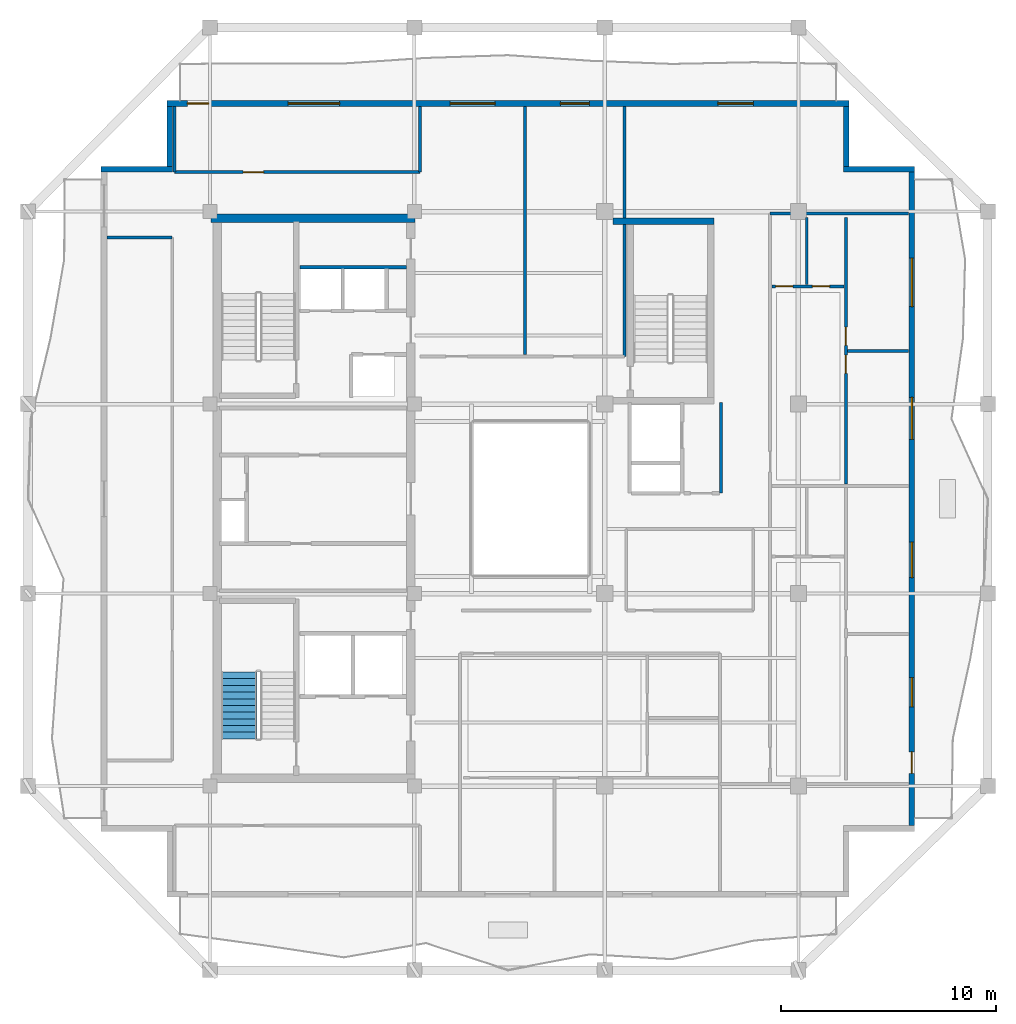
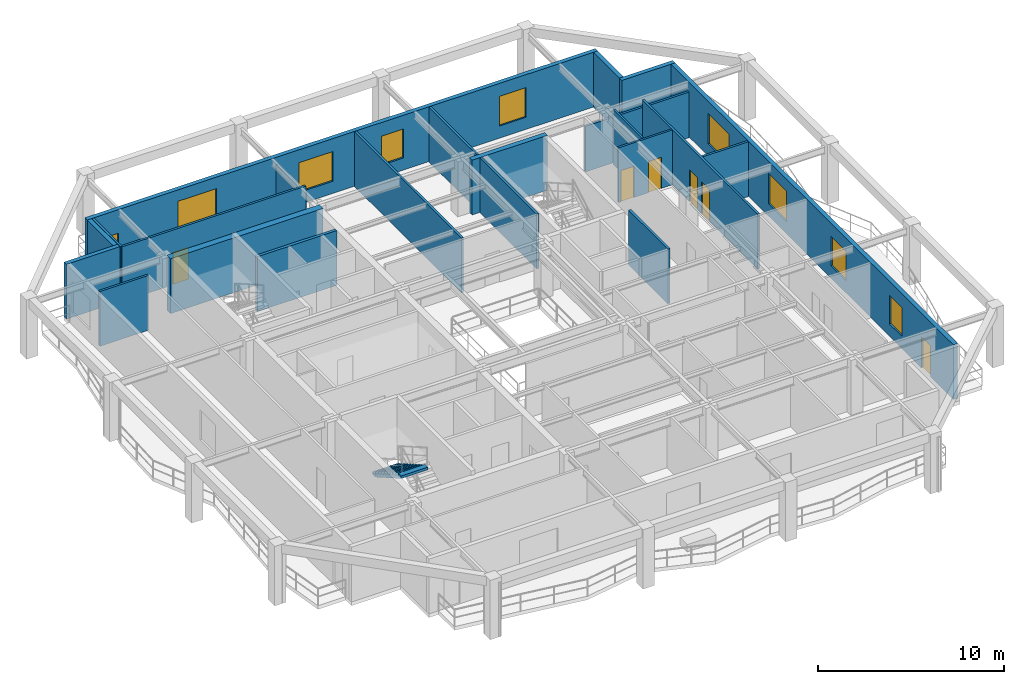
# One storey, part 5 of 10: 21 walls, 8 windows, 7 doors, 1 stair flight, 15 openings, 1 element without a shape of its own.
"""IFC4 building model written with IfcOpenShell, lengths in metres."""

from ifc_helpers import new_model, si_unit, direction, frame, frame_2d, origin, place, context, subcontext, project, spatial, polyline, rectangle, outline, extrude, material, layer, layer_set, type_object, element, fill, aggregate, save


model = new_model("IFC4")

# Units and contexts
model_context = context("Model", 3, precision=1e-05, world=origin(), true_north=direction((0.0, 1.0)))
body_context = subcontext(model_context, "Body", "Model", "MODEL_VIEW")
ifc_project = project(units=[si_unit("LENGTHUNIT", "METRE"), si_unit("AREAUNIT", "SQUARE_METRE"), si_unit("VOLUMEUNIT", "CUBIC_METRE"), si_unit("PLANEANGLEUNIT", "RADIAN"), si_unit("MASSUNIT", "GRAM", prefix="KILO")], contexts=[model_context])

# Site, building, storey
site_placement = place(None, origin())
site = spatial("IfcSite", under=ifc_project, at=site_placement, CompositionType="ELEMENT")
building_placement = place(site_placement, origin())
building = spatial("IfcBuilding", under=site, at=building_placement, Name="Kundavana Baori Tower", CompositionType="ELEMENT")
storey_placement = place(building_placement, frame((0.0, 0.0, 303.800048828125)))
storey = spatial("IfcBuildingStorey", under=building, at=storey_placement, Name="L75", CompositionType="ELEMENT", Elevation=303.800048828125)

# Wall
ifc_material_1 = material(Name="Concrete C50/60", Category="concrete")
ifc_layer_1 = layer(ifc_material_1, 0.39990234375, Name="WL-CORE-400")
ifc_layer_set_1 = layer_set([ifc_layer_1], Name="Concrete C50/60")
wall_type_1 = type_object("IfcWallType", Name="WL-CORE-400", PredefinedType="SHEAR", material=ifc_layer_set_1)
wall_1_placement = place(storey_placement, frame((15.5, 41.639892578125, 0.0), z_axis=(0.0, 0.0, 1.0), x_axis=(1.0, 0.0, 0.0)))
element("IfcWall", 1, at=wall_1_placement, inside=storey, type_object=wall_type_1, Name="L75 Offset Core North Shear Wall", PredefinedType="SHEAR", context=body_context, shape_type="SweptSolid", body=[
    extrude(rectangle(XDim=9.47998046875, YDim=0.39990234375, at=frame_2d((4.739990234375, 0.0))), origin(), (0.0, 0.0, 1.0), 3.599853515625),
])

# Wall, openings, door, windows
ifc_material_2 = material(Name="Kiln-Fired Terracotta Brick-Slip Masonry on Concrete C40/50", Category="masonry")
ifc_layer_2 = layer(ifc_material_2, 0.260009765625, Name="WL-EXT-BRK-260")
ifc_layer_set_2 = layer_set([ifc_layer_2], Name="Kiln-Fired Terracotta Brick-Slip Masonry on Concrete C40/50")
wall_type_2 = type_object("IfcWallType", Name="WL-EXT-BRK-260", PredefinedType="SOLIDWALL", material=ifc_layer_set_2)
wall_2_placement = place(storey_placement, frame((48.070068359375, 13.409912109375, 0.0), z_axis=(0.0, 0.0, 1.0), x_axis=(0.0, 1.0, 0.0)))
wall_2 = element("IfcWall", 2, at=wall_2_placement, inside=storey, type_object=wall_type_2, Name="L75 Exterior Insulated Facade Wall 04", PredefinedType="SOLIDWALL", context=body_context, shape_type="SweptSolid", body=[
    extrude(rectangle(XDim=30.380126953125, YDim=0.260009765625, at=frame_2d((15.18994140625, 0.0))), origin(), (0.0, 0.0, 1.0), 3.599853515625),
])
opening_1_placement = place(wall_2_placement, frame((2.429931640625, 0.0, 0.0)))
opening_1 = element("IfcOpeningElement", 3, at=opening_1_placement, cuts=wall_2, Name="Opening BD-1", PredefinedType="OPENING", context=body_context, shape_type="SweptSolid", body=[
    extrude(rectangle(XDim=1.0, YDim=2.050048828125, at=frame_2d((0.5, 1.02490234375))), frame((0.0, 0.14013671875, 0.0), z_axis=(0.0, -1.0, 0.0), x_axis=(1.0, 0.0, 0.0)), (0.0, 0.0, 1.0), 0.280029296875),
])
opening_2_placement = place(wall_2_placement, frame((5.527099609375, 0.0, 0.800048828125)))
opening_2 = element("IfcOpeningElement", 4, at=opening_2_placement, cuts=wall_2, Name="Opening W-07", PredefinedType="OPENING", context=body_context, shape_type="SweptSolid", body=[
    extrude(rectangle(XDim=1.35009765625, YDim=1.89990234375, at=frame_2d((0.675048828125, 0.949951171875))), frame((0.0, 0.14013671875, 0.0), z_axis=(0.0, -1.0, 0.0), x_axis=(1.0, 0.0, 0.0)), (0.0, 0.0, 1.0), 0.280029296875),
])
opening_3_placement = place(wall_2_placement, frame((11.527099609375, 0.0, 0.800048828125)))
opening_3 = element("IfcOpeningElement", 5, at=opening_3_placement, cuts=wall_2, Name="Opening W-08", PredefinedType="OPENING", context=body_context, shape_type="SweptSolid", body=[
    extrude(rectangle(XDim=1.64990234375, YDim=1.949951171875, at=frame_2d((0.824951171875, 0.97509765625))), frame((0.0, 0.14013671875, 0.0), z_axis=(0.0, -1.0, 0.0), x_axis=(1.0, 0.0, 0.0)), (0.0, 0.0, 1.0), 0.280029296875),
])
opening_4_placement = place(wall_2_placement, frame((17.951904296875, 0.0, 0.800048828125)))
opening_4 = element("IfcOpeningElement", 6, at=opening_4_placement, cuts=wall_2, Name="Opening W-09", PredefinedType="OPENING", context=body_context, shape_type="SweptSolid", body=[
    extrude(rectangle(XDim=1.949951171875, YDim=2.0, at=frame_2d((0.97509765625, 1.0))), frame((0.0, 0.14013671875, 0.0), z_axis=(0.0, -1.0, 0.0), x_axis=(1.0, 0.0, 0.0)), (0.0, 0.0, 1.0), 0.280029296875),
])
opening_5_placement = place(wall_2_placement, frame((24.126953125, 0.0, 0.800048828125)))
opening_5 = element("IfcOpeningElement", 7, at=opening_5_placement, cuts=wall_2, Name="Opening W-10", PredefinedType="OPENING", context=body_context, shape_type="SweptSolid", body=[
    extrude(rectangle(XDim=2.25, YDim=2.0, at=frame_2d((1.125, 1.0))), frame((0.0, 0.14013671875, 0.0), z_axis=(0.0, -1.0, 0.0), x_axis=(1.0, 0.0, 0.0)), (0.0, 0.0, 1.0), 0.280029296875),
])
ifc_material_3 = material(Name="Architectural Patinated Bronze Metalwork")
door_type_1 = type_object("IfcDoorType", Name="DR-EXT-LOG-1000", OperationType="NOTDEFINED", PredefinedType="DOOR", material=ifc_material_3)
door_1_placement = place(opening_1_placement, frame((1.0, 0.0, 0.0), z_axis=(0.0, 0.0, 1.0), x_axis=(-1.0, 0.0, 0.0)))
door_1 = element("IfcDoor", 8, at=door_1_placement, inside=storey, type_object=door_type_1, Name="L75 Loggia Balcony Access Door E", OperationType="SINGLE_SWING_RIGHT", OverallHeight=2.050048828125, OverallWidth=1.0, PredefinedType="DOOR", context=body_context, shape_type="SweptSolid", body=[
    extrude(rectangle(XDim=1.0, YDim=2.050048828125, at=frame_2d((0.5, 1.02490234375))), frame((0.0, 0.02490234375, 0.0), z_axis=(0.0, -1.0, 0.0), x_axis=(1.0, 0.0, 0.0)), (0.0, 0.0, 1.0), 0.050048828125),
])
fill(opening_1, door_1)
ifc_material_4 = material(Name="Double-Glazed Solar-Control Low-E Insulated Glass", Category="glass")
window_type_1 = type_object("IfcWindowType", Name="WIN-LOG-1350x1900", PartitioningType="SINGLE_PANEL", PredefinedType="WINDOW", material=ifc_material_4)
window_1_placement = place(opening_2_placement, origin())
window_1 = element("IfcWindow", 9, at=window_1_placement, inside=storey, type_object=window_type_1, Name="L75 Recessed Loggia Window E-1", OverallHeight=1.89990234375, OverallWidth=1.35009765625, PartitioningType="SINGLE_PANEL", PredefinedType="WINDOW", context=body_context, shape_type="SweptSolid", body=[
    extrude(rectangle(XDim=1.35009765625, YDim=1.89990234375, at=frame_2d((0.675048828125, 0.949951171875))), frame((0.0, 0.030029296875, 0.0), z_axis=(0.0, -1.0, 0.0), x_axis=(1.0, 0.0, 0.0)), (0.0, 0.0, 1.0), 0.06005859375),
])
fill(opening_2, window_1)
ifc_material_5 = material(Name="Double-Glazed Solar-Control Low-E Insulated Glass", Category="glass")
window_type_2 = type_object("IfcWindowType", Name="WIN-LOG-1650x1950", PartitioningType="SINGLE_PANEL", PredefinedType="WINDOW", material=ifc_material_5)
window_2_placement = place(opening_3_placement, origin())
window_2 = element("IfcWindow", 10, at=window_2_placement, inside=storey, type_object=window_type_2, Name="L75 Recessed Loggia Window E-2", OverallHeight=1.949951171875, OverallWidth=1.64990234375, PartitioningType="SINGLE_PANEL", PredefinedType="WINDOW", context=body_context, shape_type="SweptSolid", body=[
    extrude(rectangle(XDim=1.64990234375, YDim=1.949951171875, at=frame_2d((0.824951171875, 0.97509765625))), frame((0.0, 0.030029296875, 0.0), z_axis=(0.0, -1.0, 0.0), x_axis=(1.0, 0.0, 0.0)), (0.0, 0.0, 1.0), 0.06005859375),
])
fill(opening_3, window_2)
ifc_material_6 = material(Name="Double-Glazed Solar-Control Low-E Insulated Glass", Category="glass")
window_type_3 = type_object("IfcWindowType", Name="WIN-LOG-1950x2000", PartitioningType="SINGLE_PANEL", PredefinedType="WINDOW", material=ifc_material_6)
window_3_placement = place(opening_4_placement, origin())
window_3 = element("IfcWindow", 11, at=window_3_placement, inside=storey, type_object=window_type_3, Name="L75 Recessed Loggia Window E-3", OverallHeight=2.0, OverallWidth=1.949951171875, PartitioningType="SINGLE_PANEL", PredefinedType="WINDOW", context=body_context, shape_type="SweptSolid", body=[
    extrude(rectangle(XDim=1.949951171875, YDim=2.0, at=frame_2d((0.97509765625, 1.0))), frame((0.0, 0.030029296875, 0.0), z_axis=(0.0, -1.0, 0.0), x_axis=(1.0, 0.0, 0.0)), (0.0, 0.0, 1.0), 0.06005859375),
])
fill(opening_4, window_3)
ifc_material_7 = material(Name="Double-Glazed Solar-Control Low-E Insulated Glass", Category="glass")
window_type_4 = type_object("IfcWindowType", Name="WIN-LOG-2250x2000", PartitioningType="SINGLE_PANEL", PredefinedType="WINDOW", material=ifc_material_7)
window_4_placement = place(opening_5_placement, origin())
window_4 = element("IfcWindow", 12, at=window_4_placement, inside=storey, type_object=window_type_4, Name="L75 Recessed Loggia Window E-4", OverallHeight=2.0, OverallWidth=2.25, PartitioningType="SINGLE_PANEL", PredefinedType="WINDOW", context=body_context, shape_type="SweptSolid", body=[
    extrude(rectangle(XDim=2.25, YDim=2.0, at=frame_2d((1.125, 1.0))), frame((0.0, 0.030029296875, 0.0), z_axis=(0.0, -1.0, 0.0), x_axis=(1.0, 0.0, 0.0)), (0.0, 0.0, 1.0), 0.06005859375),
])
fill(opening_5, window_4)

# Walls
wall_3_placement = place(storey_placement, frame((48.199951171875, 43.919921875, 0.0), z_axis=(0.0, 0.0, 1.0), x_axis=(-1.0, 0.0, 0.0)))
element("IfcWall", 13, at=wall_3_placement, inside=storey, type_object=wall_type_2, Name="L75 Exterior Insulated Facade Wall 05", PredefinedType="SOLIDWALL", context=body_context, shape_type="SweptSolid", body=[
    extrude(rectangle(XDim=3.31005859375, YDim=0.260009765625, at=frame_2d((1.655029296875, 0.0))), origin(), (0.0, 0.0, 1.0), 3.599853515625),
])
wall_4_placement = place(storey_placement, frame((45.02001953125, 44.050048828125, 0.0), z_axis=(0.0, 0.0, 1.0), x_axis=(0.0, 1.0, 0.0)))
element("IfcWall", 14, at=wall_4_placement, inside=storey, type_object=wall_type_2, Name="L75 Exterior Insulated Facade Wall 06", PredefinedType="SOLIDWALL", context=body_context, shape_type="SweptSolid", body=[
    extrude(rectangle(XDim=2.7900390625, YDim=0.260009765625, at=frame_2d((1.39501953125, 0.0))), origin(), (0.0, 0.0, 1.0), 3.599853515625),
])

# Wall, openings, door, windows
wall_5_placement = place(storey_placement, frame((45.14990234375, 46.969970703125, 0.0), z_axis=(0.0, 0.0, 1.0), x_axis=(-1.0, 0.0, 0.0)))
wall_5 = element("IfcWall", 15, at=wall_5_placement, inside=storey, type_object=wall_type_2, Name="L75 Exterior Insulated Facade Wall 07", PredefinedType="SOLIDWALL", context=body_context, shape_type="SweptSolid", body=[
    extrude(rectangle(XDim=31.699951171875, YDim=0.260009765625, at=frame_2d((15.85009765625, 0.0))), origin(), (0.0, 0.0, 1.0), 3.599853515625),
])
opening_6_placement = place(wall_5_placement, frame((29.75, 0.0, 0.0)))
opening_6 = element("IfcOpeningElement", 16, at=opening_6_placement, cuts=wall_5, Name="Opening BD-1", PredefinedType="OPENING", context=body_context, shape_type="SweptSolid", body=[
    extrude(rectangle(XDim=1.0, YDim=2.050048828125, at=frame_2d((0.5, 1.02490234375))), frame((0.0, 0.14013671875, 0.0), z_axis=(0.0, -1.0, 0.0), x_axis=(1.0, 0.0, 0.0)), (0.0, 0.0, 1.0), 0.280029296875),
])
opening_7_placement = place(wall_5_placement, frame((23.6650390625, 0.0, 0.800048828125)))
opening_7 = element("IfcOpeningElement", 17, at=opening_7_placement, cuts=wall_5, Name="Opening W-04", PredefinedType="OPENING", context=body_context, shape_type="SweptSolid", body=[
    extrude(rectangle(XDim=2.39990234375, YDim=2.050048828125, at=frame_2d((1.199951171875, 1.02490234375))), frame((0.0, 0.14013671875, 0.0), z_axis=(0.0, -1.0, 0.0), x_axis=(1.0, 0.0, 0.0)), (0.0, 0.0, 1.0), 0.280029296875),
])
opening_8_placement = place(wall_5_placement, frame((16.43994140625, 0.0, 0.800048828125)))
opening_8 = element("IfcOpeningElement", 18, at=opening_8_placement, cuts=wall_5, Name="Opening W-05", PredefinedType="OPENING", context=body_context, shape_type="SweptSolid", body=[
    extrude(rectangle(XDim=2.10009765625, YDim=1.949951171875, at=frame_2d((1.050048828125, 0.97509765625))), frame((0.0, 0.14013671875, 0.0), z_axis=(0.0, -1.0, 0.0), x_axis=(1.0, 0.0, 0.0)), (0.0, 0.0, 1.0), 0.280029296875),
])
opening_9_placement = place(wall_5_placement, frame((12.06494140625, 0.0, 0.800048828125)))
opening_9 = element("IfcOpeningElement", 19, at=opening_9_placement, cuts=wall_5, Name="Opening W-07", PredefinedType="OPENING", context=body_context, shape_type="SweptSolid", body=[
    extrude(rectangle(XDim=1.35009765625, YDim=1.89990234375, at=frame_2d((0.675048828125, 0.949951171875))), frame((0.0, 0.14013671875, 0.0), z_axis=(0.0, -1.0, 0.0), x_axis=(1.0, 0.0, 0.0)), (0.0, 0.0, 1.0), 0.280029296875),
])
opening_10_placement = place(wall_5_placement, frame((4.445068359375, 0.0, 0.800048828125)))
opening_10 = element("IfcOpeningElement", 20, at=opening_10_placement, cuts=wall_5, Name="Opening W-08", PredefinedType="OPENING", context=body_context, shape_type="SweptSolid", body=[
    extrude(rectangle(XDim=1.64990234375, YDim=1.949951171875, at=frame_2d((0.824951171875, 0.97509765625))), frame((0.0, 0.14013671875, 0.0), z_axis=(0.0, -1.0, 0.0), x_axis=(1.0, 0.0, 0.0)), (0.0, 0.0, 1.0), 0.280029296875),
])
door_2_placement = place(opening_6_placement, frame((1.0, 0.0, 0.0), z_axis=(0.0, 0.0, 1.0), x_axis=(-1.0, 0.0, 0.0)))
door_2 = element("IfcDoor", 21, at=door_2_placement, inside=storey, type_object=door_type_1, Name="L75 Loggia Balcony Access Door N", OperationType="SINGLE_SWING_LEFT", OverallHeight=2.050048828125, OverallWidth=1.0, PredefinedType="DOOR", context=body_context, shape_type="SweptSolid", body=[
    extrude(rectangle(XDim=1.0, YDim=2.050048828125, at=frame_2d((0.5, 1.02490234375))), frame((0.0, 0.02490234375, 0.0), z_axis=(0.0, -1.0, 0.0), x_axis=(1.0, 0.0, 0.0)), (0.0, 0.0, 1.0), 0.050048828125),
])
fill(opening_6, door_2)
window_5_placement = place(opening_9_placement, origin())
window_5 = element("IfcWindow", 22, at=window_5_placement, inside=storey, type_object=window_type_1, Name="L75 Recessed Loggia Window N-3", OverallHeight=1.89990234375, OverallWidth=1.35009765625, PartitioningType="SINGLE_PANEL", PredefinedType="WINDOW", context=body_context, shape_type="SweptSolid", body=[
    extrude(rectangle(XDim=1.35009765625, YDim=1.89990234375, at=frame_2d((0.675048828125, 0.949951171875))), frame((0.0, 0.030029296875, 0.0), z_axis=(0.0, -1.0, 0.0), x_axis=(1.0, 0.0, 0.0)), (0.0, 0.0, 1.0), 0.06005859375),
])
fill(opening_9, window_5)
window_6_placement = place(opening_10_placement, origin())
window_6 = element("IfcWindow", 23, at=window_6_placement, inside=storey, type_object=window_type_2, Name="L75 Recessed Loggia Window N-4", OverallHeight=1.949951171875, OverallWidth=1.64990234375, PartitioningType="SINGLE_PANEL", PredefinedType="WINDOW", context=body_context, shape_type="SweptSolid", body=[
    extrude(rectangle(XDim=1.64990234375, YDim=1.949951171875, at=frame_2d((0.824951171875, 0.97509765625))), frame((0.0, 0.030029296875, 0.0), z_axis=(0.0, -1.0, 0.0), x_axis=(1.0, 0.0, 0.0)), (0.0, 0.0, 1.0), 0.06005859375),
])
fill(opening_10, window_6)
ifc_material_8 = material(Name="Double-Glazed Solar-Control Low-E Insulated Glass", Category="glass")
window_type_5 = type_object("IfcWindowType", Name="WIN-LOG-2100x1950", PartitioningType="SINGLE_PANEL", PredefinedType="WINDOW", material=ifc_material_8)
window_7_placement = place(opening_8_placement, origin())
window_7 = element("IfcWindow", 24, at=window_7_placement, inside=storey, type_object=window_type_5, Name="L75 Recessed Loggia Window N-2", OverallHeight=1.949951171875, OverallWidth=2.10009765625, PartitioningType="SINGLE_PANEL", PredefinedType="WINDOW", context=body_context, shape_type="SweptSolid", body=[
    extrude(rectangle(XDim=2.10009765625, YDim=1.949951171875, at=frame_2d((1.050048828125, 0.97509765625))), frame((0.0, 0.030029296875, 0.0), z_axis=(0.0, -1.0, 0.0), x_axis=(1.0, 0.0, 0.0)), (0.0, 0.0, 1.0), 0.06005859375),
])
fill(opening_8, window_7)
ifc_material_9 = material(Name="Double-Glazed Solar-Control Low-E Insulated Glass", Category="glass")
window_type_6 = type_object("IfcWindowType", Name="WIN-LOG-2400x2050", PartitioningType="SINGLE_PANEL", PredefinedType="WINDOW", material=ifc_material_9)
window_8_placement = place(opening_7_placement, origin())
window_8 = element("IfcWindow", 25, at=window_8_placement, inside=storey, type_object=window_type_6, Name="L75 Recessed Loggia Window N-1", OverallHeight=2.050048828125, OverallWidth=2.39990234375, PartitioningType="SINGLE_PANEL", PredefinedType="WINDOW", context=body_context, shape_type="SweptSolid", body=[
    extrude(rectangle(XDim=2.39990234375, YDim=2.050048828125, at=frame_2d((1.199951171875, 1.02490234375))), frame((0.0, 0.030029296875, 0.0), z_axis=(0.0, -1.0, 0.0), x_axis=(1.0, 0.0, 0.0)), (0.0, 0.0, 1.0), 0.06005859375),
])
fill(opening_7, window_8)

# Walls
wall_6_placement = place(storey_placement, frame((13.580078125, 46.840087890625, 0.0), z_axis=(0.0, 0.0, 1.0), x_axis=(0.0, -1.0, 0.0)))
element("IfcWall", 26, at=wall_6_placement, inside=storey, type_object=wall_type_2, Name="L75 Exterior Insulated Facade Wall 08", PredefinedType="SOLIDWALL", context=body_context, shape_type="SweptSolid", body=[
    extrude(rectangle(XDim=2.7900390625, YDim=0.260009765625, at=frame_2d((1.39501953125, 0.0))), origin(), (0.0, 0.0, 1.0), 3.599853515625),
])
wall_7_placement = place(storey_placement, frame((13.7099609375, 43.919921875, 0.0), z_axis=(0.0, 0.0, 1.0), x_axis=(-1.0, 0.0, 0.0)))
element("IfcWall", 27, at=wall_7_placement, inside=storey, type_object=wall_type_2, Name="L75 Exterior Insulated Facade Wall 09", PredefinedType="SOLIDWALL", context=body_context, shape_type="SweptSolid", body=[
    extrude(rectangle(XDim=3.31005859375, YDim=0.260009765625, at=frame_2d((1.655029296875, 0.0))), origin(), (0.0, 0.0, 1.0), 3.599853515625),
])

# Wall, opening, door
ifc_material_10 = material(Name="Acoustic Gypsum Plasterboard on Galvanised Steel Studs", Category="steel")
ifc_layer_3 = layer(ifc_material_10, 0.135009765625, Name="WL-PART-135")
ifc_layer_set_3 = layer_set([ifc_layer_3], Name="Acoustic Gypsum Plasterboard on Galvanised Steel Studs")
wall_type_3 = type_object("IfcWallType", Name="WL-PART-135", PredefinedType="PARTITIONING", material=ifc_layer_set_3)
wall_8_placement = place(storey_placement, frame((13.800048828125, 43.780029296875, 0.0), z_axis=(0.0, 0.0, 1.0), x_axis=(1.0, 0.0, 0.0)))
wall_8 = element("IfcWall", 28, at=wall_8_placement, inside=storey, type_object=wall_type_3, Name="WL-L75-RNC", PredefinedType="PARTITIONING", context=body_context, shape_type="SweptSolid", body=[
    extrude(rectangle(XDim=11.419921875, YDim=0.135009765625, at=frame_2d((5.7099609375, 0.0))), origin(), (0.0, 0.0, 1.0), 3.599853515625),
])
opening_11_placement = place(wall_8_placement, frame((3.199951171875, 0.0, 0.0)))
opening_11 = element("IfcOpeningElement", 29, at=opening_11_placement, cuts=wall_8, Name="Opening ID-095", PredefinedType="OPENING", context=body_context, shape_type="SweptSolid", body=[
    extrude(rectangle(XDim=0.949951171875, YDim=2.080078125, at=frame_2d((0.47509765625, 1.0400390625))), frame((0.0, 0.07763671875, 0.0), z_axis=(0.0, -1.0, 0.0), x_axis=(1.0, 0.0, 0.0)), (0.0, 0.0, 1.0), 0.155029296875),
])
ifc_material_11 = material(Name="Engineered Teak Solid-Core Timber Veneer", Category="wood")
door_type_2 = type_object("IfcDoorType", Name="DR-INT-950", OperationType="NOTDEFINED", PredefinedType="DOOR", material=ifc_material_11)
door_3_placement = place(opening_11_placement, origin())
door_3 = element("IfcDoor", 30, at=door_3_placement, inside=storey, type_object=door_type_2, Name="DR-L75-RMNW", OperationType="SINGLE_SWING_RIGHT", OverallHeight=2.080078125, OverallWidth=0.949951171875, PredefinedType="DOOR", context=body_context, shape_type="SweptSolid", body=[
    extrude(rectangle(XDim=0.949951171875, YDim=2.080078125, at=frame_2d((0.47509765625, 1.0400390625))), frame((0.0, 0.02490234375, 0.0), z_axis=(0.0, -1.0, 0.0), x_axis=(1.0, 0.0, 0.0)), (0.0, 0.0, 1.0), 0.050048828125),
])
fill(opening_11, door_3)

# Walls
wall_9_placement = place(storey_placement, frame((13.800048828125, 43.780029296875, 0.0), z_axis=(0.0, 0.0, 1.0), x_axis=(0.0, 1.0, 0.0)))
element("IfcWall", 31, at=wall_9_placement, inside=storey, type_object=wall_type_3, Name="WL-L75-RNCW", PredefinedType="PARTITIONING", context=body_context, shape_type="SweptSolid", body=[
    extrude(rectangle(XDim=3.0400390625, YDim=0.135009765625, at=frame_2d((1.52001953125, 0.0))), origin(), (0.0, 0.0, 1.0), 3.599853515625),
])
wall_10_placement = place(storey_placement, frame((25.219970703125, 43.780029296875, 0.0), z_axis=(0.0, 0.0, 1.0), x_axis=(0.0, 1.0, 0.0)))
element("IfcWall", 32, at=wall_10_placement, inside=storey, type_object=wall_type_3, Name="WL-L75-RNCE", PredefinedType="PARTITIONING", context=body_context, shape_type="SweptSolid", body=[
    extrude(rectangle(XDim=3.0400390625, YDim=0.135009765625, at=frame_2d((1.52001953125, 0.0))), origin(), (0.0, 0.0, 1.0), 3.14990234375),
])
wall_11_placement = place(storey_placement, frame((10.679931640625, 40.75, 0.0), z_axis=(0.0, 0.0, 1.0), x_axis=(1.0, 0.0, 0.0)))
element("IfcWall", 33, at=wall_11_placement, inside=storey, type_object=wall_type_3, Name="WL-L75-RWN", PredefinedType="PARTITIONING", context=body_context, shape_type="SweptSolid", body=[
    extrude(rectangle(XDim=3.02001953125, YDim=0.135009765625, at=frame_2d((1.510009765625, 0.0))), origin(), (0.0, 0.0, 1.0), 3.599853515625),
])
wall_12_placement = place(storey_placement, frame((34.719970703125, 35.219970703125, 0.0), z_axis=(0.0, 0.0, 1.0), x_axis=(0.0, 1.0, 0.0)))
element("IfcWall", 34, at=wall_12_placement, inside=storey, type_object=wall_type_3, Name="WL-L75-RNEND", PredefinedType="PARTITIONING", context=body_context, shape_type="SweptSolid", body=[
    extrude(rectangle(XDim=11.60009765625, YDim=0.135009765625, at=frame_2d((5.800048828125, 0.0))), origin(), (0.0, 0.0, 1.0), 3.599853515625),
])
wall_13_placement = place(storey_placement, frame((30.10009765625, 35.300048828125, 0.0), z_axis=(0.0, 0.0, 1.0), x_axis=(0.0, 1.0, 0.0)))
element("IfcWall", 35, at=wall_13_placement, inside=storey, type_object=wall_type_3, Name="WL-L75-RND1", PredefinedType="PARTITIONING", context=body_context, shape_type="SweptSolid", body=[
    extrude(rectangle(XDim=11.52001953125, YDim=0.135009765625, at=frame_2d((5.760009765625, 0.0))), origin(), (0.0, 0.0, 1.0), 3.599853515625),
])
wall_14_placement = place(storey_placement, frame((41.47998046875, 41.85009765625, 0.0), z_axis=(0.0, 0.0, 1.0), x_axis=(1.0, 0.0, 0.0)))
element("IfcWall", 36, at=wall_14_placement, inside=storey, type_object=wall_type_3, Name="WL-L75-REN", PredefinedType="PARTITIONING", context=body_context, shape_type="SweptSolid", body=[
    extrude(rectangle(XDim=6.43994140625, YDim=0.135009765625, at=frame_2d((3.219970703125, 0.0))), origin(), (0.0, 0.0, 1.0), 3.0),
])

# Wall, openings, doors
wall_15_placement = place(storey_placement, frame((45.00390625, 29.280029296875, 0.0), z_axis=(0.0, 0.0, 1.0), x_axis=(0.0, 1.0, 0.0)))
wall_15 = element("IfcWall", 37, at=wall_15_placement, inside=storey, type_object=wall_type_3, Name="WL-L75-E2-VT", PredefinedType="PARTITIONING", context=body_context, shape_type="SweptSolid", body=[
    extrude(rectangle(XDim=12.389892578125, YDim=0.135009765625, at=frame_2d((6.19482421875, 0.0))), origin(), (0.0, 0.0, 1.0), 3.599853515625),
])
opening_12_placement = place(wall_15_placement, frame((5.14501953125, 0.0, 0.0)))
opening_12 = element("IfcOpeningElement", 38, at=opening_12_placement, cuts=wall_15, Name="Opening ID-085", PredefinedType="OPENING", context=body_context, shape_type="SweptSolid", body=[
    extrude(rectangle(XDim=0.85009765625, YDim=2.080078125, at=frame_2d((0.425048828125, 1.0400390625))), frame((0.0, 0.07763671875, 0.0), z_axis=(0.0, -1.0, 0.0), x_axis=(1.0, 0.0, 0.0)), (0.0, 0.0, 1.0), 0.155029296875),
])
opening_13_placement = place(wall_15_placement, frame((6.445068359375, 0.0, 0.0)))
opening_13 = element("IfcOpeningElement", 39, at=opening_13_placement, cuts=wall_15, Name="Opening ID-085", PredefinedType="OPENING", context=body_context, shape_type="SweptSolid", body=[
    extrude(rectangle(XDim=0.85009765625, YDim=2.080078125, at=frame_2d((0.425048828125, 1.0400390625))), frame((0.0, 0.07763671875, 0.0), z_axis=(0.0, -1.0, 0.0), x_axis=(1.0, 0.0, 0.0)), (0.0, 0.0, 1.0), 0.155029296875),
])
ifc_material_12 = material(Name="Engineered Teak Solid-Core Timber Veneer", Category="wood")
door_type_3 = type_object("IfcDoorType", Name="DR-INT-850", OperationType="NOTDEFINED", PredefinedType="DOOR", material=ifc_material_12)
door_4_placement = place(opening_12_placement, origin())
door_4 = element("IfcDoor", 40, at=door_4_placement, inside=storey, type_object=door_type_3, Name="DR-L75-E2-B1", OperationType="SINGLE_SWING_LEFT", OverallHeight=2.080078125, OverallWidth=0.85009765625, PredefinedType="DOOR", context=body_context, shape_type="SweptSolid", body=[
    extrude(rectangle(XDim=0.85009765625, YDim=2.080078125, at=frame_2d((0.425048828125, 1.0400390625))), frame((0.0, 0.02490234375, 0.0), z_axis=(0.0, -1.0, 0.0), x_axis=(1.0, 0.0, 0.0)), (0.0, 0.0, 1.0), 0.050048828125),
])
fill(opening_12, door_4)
door_5_placement = place(opening_13_placement, origin())
door_5 = element("IfcDoor", 41, at=door_5_placement, inside=storey, type_object=door_type_3, Name="DR-L75-E2-B2", OperationType="SINGLE_SWING_RIGHT", OverallHeight=2.080078125, OverallWidth=0.85009765625, PredefinedType="DOOR", context=body_context, shape_type="SweptSolid", body=[
    extrude(rectangle(XDim=0.85009765625, YDim=2.080078125, at=frame_2d((0.425048828125, 1.0400390625))), frame((0.0, 0.02490234375, 0.0), z_axis=(0.0, -1.0, 0.0), x_axis=(1.0, 0.0, 0.0)), (0.0, 0.0, 1.0), 0.050048828125),
])
fill(opening_13, door_5)

# Walls
wall_16_placement = place(storey_placement, frame((45.083984375, 35.47509765625, 0.0), z_axis=(0.0, 0.0, 1.0), x_axis=(1.0, 0.0, 0.0)))
element("IfcWall", 42, at=wall_16_placement, inside=storey, type_object=wall_type_3, Name="WL-L75-E2-BDH", PredefinedType="PARTITIONING", context=body_context, shape_type="SweptSolid", body=[
    extrude(rectangle(XDim=2.8359375, YDim=0.135009765625, at=frame_2d((1.41796875, 0.0))), origin(), (0.0, 0.0, 1.0), 3.599853515625),
])
ifc_material_13 = material(Name="Fire-Rated Gypsum Drywall on Galvanised Steel Studs", Category="steel")
ifc_layer_4 = layer(ifc_material_13, 0.14990234375, Name="WL-PART-150")
ifc_layer_set_4 = layer_set([ifc_layer_4], Name="Fire-Rated Gypsum Drywall on Galvanised Steel Studs")
wall_type_4 = type_object("IfcWallType", Name="WL-PART-150", PredefinedType="PARTITIONING", material=ifc_layer_set_4)
wall_17_placement = place(storey_placement, frame((39.199951171875, 28.860107421875, 0.0), z_axis=(0.0, 0.0, 1.0), x_axis=(0.0, 1.0, 0.0)))
element("IfcWall", 43, at=wall_17_placement, inside=storey, type_object=wall_type_4, Name="WL-L75-SVLOB-E", PredefinedType="PARTITIONING", context=body_context, shape_type="SweptSolid", body=[
    extrude(rectangle(XDim=4.219970703125, YDim=0.14990234375, at=frame_2d((2.10986328125, 0.0))), origin(), (0.0, 0.0, 1.0), 3.599853515625),
])
ifc_material_14 = material(Name="Autoclaved Aerated Concrete Blockwork Masonry", Category="masonry")
ifc_layer_5 = layer(ifc_material_14, 0.179931640625, Name="WL-SHAFT-180")
ifc_layer_set_5 = layer_set([ifc_layer_5], Name="Autoclaved Aerated Concrete Blockwork Masonry")
wall_type_5 = type_object("IfcWallType", Name="WL-SHAFT-180", PredefinedType="SOLIDWALL", material=ifc_layer_set_5)
wall_18_placement = place(storey_placement, frame((19.639892578125, 39.360107421875, 0.0), z_axis=(0.0, 0.0, 1.0), x_axis=(1.0, 0.0, 0.0)))
element("IfcWall", 44, at=wall_18_placement, inside=storey, type_object=wall_type_5, Name="WL-L75-HRLOB-TOP", PredefinedType="SOLIDWALL", context=body_context, shape_type="SweptSolid", body=[
    extrude(rectangle(XDim=4.940185546875, YDim=0.179931640625, at=frame_2d((2.47021484375, 0.0))), origin(), (0.0, 0.0, 1.0), 3.599853515625),
])
ifc_material_15 = material(Name="Concrete C50/60", Category="concrete")
ifc_layer_6 = layer(ifc_material_15, 0.300048828125, Name="WL-ST3-300")
ifc_layer_set_6 = layer_set([ifc_layer_6], Name="Concrete C50/60")
wall_type_6 = type_object("IfcWallType", Name="WL-ST3-300", PredefinedType="SHEAR", material=ifc_layer_set_6)
wall_19_placement = place(storey_placement, frame((34.175048828125, 41.489990234375, 0.0), z_axis=(0.0, 0.0, 1.0), x_axis=(1.0, 0.0, 0.0)))
element("IfcWall", 45, at=wall_19_placement, inside=storey, type_object=wall_type_6, Name="L75 Stair ST3 North Shear Wall", PredefinedType="SHEAR", context=body_context, shape_type="SweptSolid", body=[
    extrude(rectangle(XDim=4.695068359375, YDim=0.300048828125, at=frame_2d((2.34765625, 0.0))), origin(), (0.0, 0.0, 1.0), 3.599853515625),
])

# Wall, openings, doors
ifc_material_16 = material(Name="Autoclaved Aerated Concrete Blockwork Masonry", Category="masonry")
ifc_layer_7 = layer(ifc_material_16, 0.125, Name="WL-WET-120")
ifc_layer_set_7 = layer_set([ifc_layer_7], Name="Autoclaved Aerated Concrete Blockwork Masonry")
wall_type_7 = type_object("IfcWallType", Name="WL-WET-120", PredefinedType="PLUMBINGWALL", material=ifc_layer_set_7)
wall_20_placement = place(storey_placement, frame((41.580078125, 38.469970703125, 0.0), z_axis=(0.0, 0.0, 1.0), x_axis=(1.0, 0.0, 0.0)))
wall_20 = element("IfcWall", 46, at=wall_20_placement, inside=storey, type_object=wall_type_7, Name="WL-L75-E2-KH", PredefinedType="PLUMBINGWALL", context=body_context, shape_type="SweptSolid", body=[
    extrude(rectangle(XDim=3.343994140625, YDim=0.125, at=frame_2d((1.671875, 0.0))), origin(), (0.0, 0.0, 1.0), 3.599853515625),
])
opening_14_placement = place(wall_20_placement, frame((0.159912109375, 0.0, 0.0)))
opening_14 = element("IfcOpeningElement", 47, at=opening_14_placement, cuts=wall_20, Name="Opening WD-080", PredefinedType="OPENING", context=body_context, shape_type="SweptSolid", body=[
    extrude(rectangle(XDim=0.800048828125, YDim=2.050048828125, at=frame_2d((0.39990234375, 1.02490234375))), frame((0.0, 0.072509765625, 0.0), z_axis=(0.0, -1.0, 0.0), x_axis=(1.0, 0.0, 0.0)), (0.0, 0.0, 1.0), 0.14501953125),
])
opening_15_placement = place(wall_20_placement, frame((1.864990234375, 0.0, 0.0)))
opening_15 = element("IfcOpeningElement", 48, at=opening_15_placement, cuts=wall_20, Name="Opening WD-080", PredefinedType="OPENING", context=body_context, shape_type="SweptSolid", body=[
    extrude(rectangle(XDim=0.800048828125, YDim=2.050048828125, at=frame_2d((0.39990234375, 1.02490234375))), frame((0.0, 0.072509765625, 0.0), z_axis=(0.0, -1.0, 0.0), x_axis=(1.0, 0.0, 0.0)), (0.0, 0.0, 1.0), 0.14501953125),
])
ifc_material_17 = material(Name="Engineered Teak Solid-Core Timber Veneer", Category="wood")
door_type_4 = type_object("IfcDoorType", Name="DR-WET-800", OperationType="NOTDEFINED", PredefinedType="DOOR", material=ifc_material_17)
door_6_placement = place(opening_14_placement, origin())
door_6 = element("IfcDoor", 49, at=door_6_placement, inside=storey, type_object=door_type_4, Name="DR-L75-E2-BT", OperationType="SINGLE_SWING_LEFT", OverallHeight=2.050048828125, OverallWidth=0.800048828125, PredefinedType="DOOR", context=body_context, shape_type="SweptSolid", body=[
    extrude(rectangle(XDim=0.800048828125, YDim=2.050048828125, at=frame_2d((0.39990234375, 1.02490234375))), frame((0.0, 0.02490234375, 0.0), z_axis=(0.0, -1.0, 0.0), x_axis=(1.0, 0.0, 0.0)), (0.0, 0.0, 1.0), 0.050048828125),
])
fill(opening_14, door_6)
door_7_placement = place(opening_15_placement, origin())
door_7 = element("IfcDoor", 50, at=door_7_placement, inside=storey, type_object=door_type_4, Name="DR-L75-E2-KT", OperationType="SINGLE_SWING_RIGHT", OverallHeight=2.050048828125, OverallWidth=0.800048828125, PredefinedType="DOOR", context=body_context, shape_type="SweptSolid", body=[
    extrude(rectangle(XDim=0.800048828125, YDim=2.050048828125, at=frame_2d((0.39990234375, 1.02490234375))), frame((0.0, 0.02490234375, 0.0), z_axis=(0.0, -1.0, 0.0), x_axis=(1.0, 0.0, 0.0)), (0.0, 0.0, 1.0), 0.050048828125),
])
fill(opening_15, door_7)

# Wall
wall_21_placement = place(storey_placement, frame((43.18505859375, 38.550048828125, 0.0), z_axis=(0.0, 0.0, 1.0), x_axis=(0.0, 1.0, 0.0)))
element("IfcWall", 51, at=wall_21_placement, inside=storey, type_object=wall_type_7, Name="WL-L75-E2-BV", PredefinedType="PLUMBINGWALL", context=body_context, shape_type="SweptSolid", body=[
    extrude(rectangle(XDim=3.119873046875, YDim=0.125, at=frame_2d((1.56005859375, 0.0))), origin(), (0.0, 0.0, 1.0), 3.599853515625),
])

# Stair, stair flight
ifc_material_18 = material(Name="Concrete C40/50", Category="concrete")
stair_type = type_object("IfcStairType", Name="STR-DOG-1650", PredefinedType="HALF_TURN_STAIR", material=ifc_material_18)
stair_placement = place(storey_placement, origin())
stair = element("IfcStair", 52, at=stair_placement, inside=storey, type_object=stair_type, Name="L75 Protected Exit Stair ST1", PredefinedType="HALF_TURN_STAIR")
ifc_material_19 = material(Name="Concrete C40/50", Category="concrete")
stair_flight_type = type_object("IfcStairFlightType", Name="SFL-RC-1650", PredefinedType="STRAIGHT", material=ifc_material_19)
stair_flight_placement = place(storey_placement, frame((16.804931640625, 20.550048828125, 1.949951171875), z_axis=(0.0, 0.0, 1.0), x_axis=(0.0, -1.0, 0.0)))
stair_flight = element("IfcStairFlight", 53, at=stair_flight_placement, type_object=stair_flight_type, Name="ST1 flight 2", NumberOfRisers=11, NumberOfTreads=10, PredefinedType="STRAIGHT", RiserHeight=0.177272727, TreadLength=0.31, context=body_context, shape_type="SweptSolid", body=[
    extrude(outline(polyline([(0.0, 0.0), (0.0, 0.17724609375), (0.31005859375, 0.17724609375), (0.31005859375, 0.3544921875), (0.6201171875, 0.3544921875), (0.6201171875, 0.53173828125), (0.929931640625, 0.53173828125), (0.929931640625, 0.708984375), (1.239990234375, 0.708984375), (1.239990234375, 0.886474609375), (1.550048828125, 0.886474609375), (1.550048828125, 1.063720703125), (1.860107421875, 1.063720703125), (1.860107421875, 1.240966796875), (2.169921875, 1.240966796875), (2.169921875, 1.418212890625), (2.47998046875, 1.418212890625), (2.47998046875, 1.595458984375), (2.7900390625, 1.595458984375), (2.7900390625, 1.772705078125), (3.10009765625, 1.772705078125), (3.10009765625, 1.949951171875), (3.10009765625, 1.60009765625), (0.302001953125, 0.0), (0.0, 0.0)])), frame((0.0, 0.824951171875, 0.0), z_axis=(0.0, -1.0, 0.0), x_axis=(1.0, 0.0, 0.0)), (0.0, 0.0, 1.0), 1.64990234375),
])
aggregate(stair, [stair_flight])

save(model, "model.ifc")
